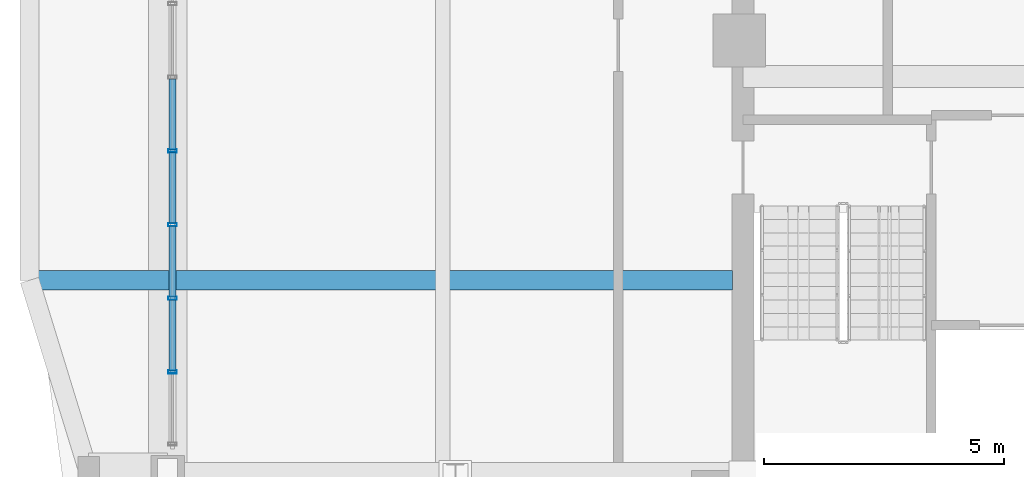
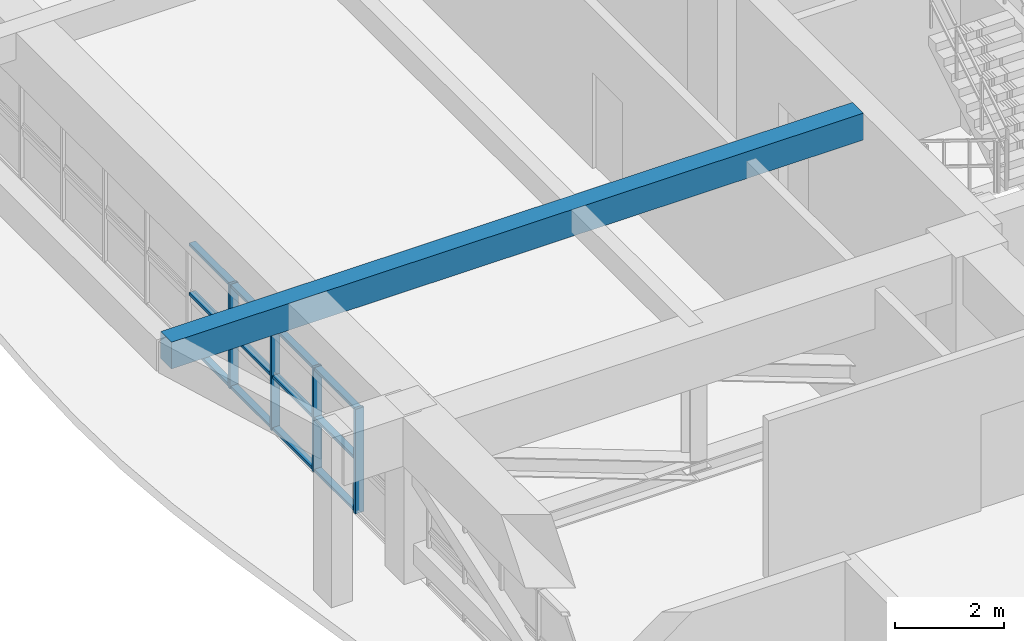
# One storey, part 4 of 25: 16 members, 1 beam, 1 element without a shape of its own.
"""IFC4 building model written with IfcOpenShell, lengths in metres."""

from ifc_helpers import new_model, si_unit, direction, frame, origin, origin_2d, place, context, subcontext, project, spatial, rectangle, hollow_rectangle, extrude, source, transform, mapped, material, layer, layer_set, material_profile, profile_set, type_object, element, aggregate, save


model = new_model("IFC4")

# Units and contexts
model_context = context("Model", 3, precision=1e-05, world=origin(), true_north=direction((0.0, 1.0)))
body_context = subcontext(model_context, "Body", "Model", "MODEL_VIEW")
ifc_project = project(units=[si_unit("LENGTHUNIT", "METRE"), si_unit("AREAUNIT", "SQUARE_METRE"), si_unit("VOLUMEUNIT", "CUBIC_METRE"), si_unit("PLANEANGLEUNIT", "RADIAN"), si_unit("MASSUNIT", "GRAM", prefix="KILO")], contexts=[model_context])

# Site, building, storey
site_placement = place(None, origin())
site = spatial("IfcSite", under=ifc_project, at=site_placement, CompositionType="ELEMENT")
building_placement = place(site_placement, origin())
building = spatial("IfcBuilding", under=site, at=building_placement, Name="Saelheon Loggia Tower", CompositionType="ELEMENT")
storey_placement = place(building_placement, frame((0.0, 0.0, 206.5)))
storey = spatial("IfcBuildingStorey", under=building, at=storey_placement, Name="L64", CompositionType="ELEMENT", Elevation=206.5)

# Beam
ifc_material_1 = material(Name="Precast Concrete C45/55", Category="concrete")
ifc_material_profile_1 = material_profile(ifc_material_1, rectangle(XDim=0.39990234375, YDim=0.60009765625, at=origin_2d()), Name="RC-400x600")
ifc_profile_set_1 = profile_set([ifc_material_profile_1], Name="Precast Concrete C45/55")
beam_type = type_object("IfcBeamType", Name="Beam_LoggiaTie_RC400x600", PredefinedType="BEAM", material=ifc_profile_set_1)
shared_shape_1 = source(origin(), body_context, "Body", "SweptSolid", [
    extrude(rectangle(XDim=0.39990234375, YDim=0.60009765625, at=origin_2d()), origin(), (0.0, 0.0, 1.0), 14.659912109375),
])
beam_placement = place(storey_placement, frame((31.280029296875, 22.0, 3.5), z_axis=(-1.0, 0.0, 0.0), x_axis=(0.0, -1.0, 0.0)))
element("IfcBeam", 1, at=beam_placement, inside=storey, type_object=beam_type, Name="L64 Curved Facade Outrigger Beam W 1", PredefinedType="BEAM", context=body_context, shape_type="MappedRepresentation", body=[
    mapped(shared_shape_1, transform((0.0, 0.0, 0.0), scale=1.0)),
])

# Curtain wall, members
ifc_material_2 = material(Name="Anodised Aluminium Acoustic Louvre Curtain Wall", Category="aluminium")
ifc_layer = layer(ifc_material_2, 0.179931640625)
ifc_layer_set = layer_set([ifc_layer], Name="Anodised Aluminium Acoustic Louvre Curtain Wall")
curtain_wall_type = type_object("IfcCurtainWallType", Name="CW_RefugeAcoustic", PredefinedType="NOTDEFINED", material=ifc_layer_set)
curtain_wall_placement = place(storey_placement, origin())
curtain_wall = element("IfcCurtainWall", 2, at=curtain_wall_placement, inside=storey, type_object=curtain_wall_type, Name="L64 W Refuge Acoustic Curtain Wall 2", PredefinedType="NOTDEFINED")
ifc_material_3 = material(Name="Anodised Aluminium 6063-T6", Category="aluminium")
ifc_material_profile_2 = material_profile(ifc_material_3, hollow_rectangle(XDim=0.06494140625, YDim=0.139892578125, WallThickness=0.00390625, at=origin_2d()), Name="RHS-140x65x4")
ifc_profile_set_2 = profile_set([ifc_material_profile_2], Name="Anodised Aluminium 6063-T6")
member_type_1 = type_object("IfcMemberType", Name="CW_RefugeAcoustic_Transom", PredefinedType="USERDEFINED", material=ifc_profile_set_2)
shared_shape_2 = source(origin(), body_context, "Body", "SweptSolid", [
    extrude(hollow_rectangle(XDim=0.06494140625, YDim=0.139892578125, WallThickness=0.00390625, at=origin_2d()), origin(), (0.0, 0.0, 1.0), 1.471435546875),
])
member_1_placement = place(storey_placement, frame((19.60009765625, 20.118896484375, 0.032470703125), z_axis=(0.0, 1.0, 0.0), x_axis=(0.0, 0.0, 1.0)))
member_1 = element("IfcMember", 3, at=member_1_placement, type_object=member_type_1, Name="CW5 transom 2.1", ObjectType="TRANSOM", PredefinedType="USERDEFINED", context=body_context, shape_type="MappedRepresentation", body=[
    mapped(shared_shape_2, transform((0.0, 0.0, 0.0), scale=1.0)),
])
member_2_placement = place(storey_placement, frame((19.60009765625, 20.118896484375, 1.199951171875), z_axis=(0.0, 1.0, 0.0), x_axis=(0.0, 0.0, 1.0)))
member_2 = element("IfcMember", 4, at=member_2_placement, type_object=member_type_1, Name="CW5 transom 2.2", ObjectType="TRANSOM", PredefinedType="USERDEFINED", context=body_context, shape_type="MappedRepresentation", body=[
    mapped(shared_shape_2, transform((0.0, 0.0, 0.0), scale=1.0)),
])
member_3_placement = place(storey_placement, frame((19.60009765625, 20.118896484375, 2.3076171875), z_axis=(0.0, 1.0, 0.0), x_axis=(0.0, 0.0, 1.0)))
member_3 = element("IfcMember", 5, at=member_3_placement, type_object=member_type_1, Name="CW5 transom 2.3", ObjectType="TRANSOM", PredefinedType="USERDEFINED", context=body_context, shape_type="MappedRepresentation", body=[
    mapped(shared_shape_2, transform((0.0, 0.0, 0.0), scale=1.0)),
])
member_4_placement = place(storey_placement, frame((19.60009765625, 21.6552734375, 0.032470703125), z_axis=(0.0, 1.0, 0.0), x_axis=(0.0, 0.0, 1.0)))
member_4 = element("IfcMember", 6, at=member_4_placement, type_object=member_type_1, Name="CW5 transom 3.1", ObjectType="TRANSOM", PredefinedType="USERDEFINED", context=body_context, shape_type="MappedRepresentation", body=[
    mapped(shared_shape_2, transform((0.0, 0.0, 0.0), scale=1.0)),
])
member_5_placement = place(storey_placement, frame((19.60009765625, 21.6552734375, 1.199951171875), z_axis=(0.0, 1.0, 0.0), x_axis=(0.0, 0.0, 1.0)))
member_5 = element("IfcMember", 7, at=member_5_placement, type_object=member_type_1, Name="CW5 transom 3.2", ObjectType="TRANSOM", PredefinedType="USERDEFINED", context=body_context, shape_type="MappedRepresentation", body=[
    mapped(shared_shape_2, transform((0.0, 0.0, 0.0), scale=1.0)),
])
member_6_placement = place(storey_placement, frame((19.60009765625, 21.6552734375, 2.3076171875), z_axis=(0.0, 1.0, 0.0), x_axis=(0.0, 0.0, 1.0)))
member_6 = element("IfcMember", 8, at=member_6_placement, type_object=member_type_1, Name="CW5 transom 3.3", ObjectType="TRANSOM", PredefinedType="USERDEFINED", context=body_context, shape_type="MappedRepresentation", body=[
    mapped(shared_shape_2, transform((0.0, 0.0, 0.0), scale=1.0)),
])
shared_shape_3 = source(origin(), body_context, "Body", "SweptSolid", [
    extrude(hollow_rectangle(XDim=0.06494140625, YDim=0.139892578125, WallThickness=0.00390625, at=origin_2d()), origin(), (0.0, 0.0, 1.0), 1.47119140625),
])
member_7_placement = place(storey_placement, frame((19.60009765625, 23.191650390625, 0.032470703125), z_axis=(0.0, 1.0, 0.0), x_axis=(0.0, 0.0, 1.0)))
member_7 = element("IfcMember", 9, at=member_7_placement, type_object=member_type_1, Name="CW5 transom 4.1", ObjectType="TRANSOM", PredefinedType="USERDEFINED", context=body_context, shape_type="MappedRepresentation", body=[
    mapped(shared_shape_3, transform((0.0, 0.0, 0.0), scale=1.0)),
])
member_8_placement = place(storey_placement, frame((19.60009765625, 23.191650390625, 1.199951171875), z_axis=(0.0, 1.0, 0.0), x_axis=(0.0, 0.0, 1.0)))
member_8 = element("IfcMember", 10, at=member_8_placement, type_object=member_type_1, Name="CW5 transom 4.2", ObjectType="TRANSOM", PredefinedType="USERDEFINED", context=body_context, shape_type="MappedRepresentation", body=[
    mapped(shared_shape_3, transform((0.0, 0.0, 0.0), scale=1.0)),
])
member_9_placement = place(storey_placement, frame((19.60009765625, 23.191650390625, 2.3076171875), z_axis=(0.0, 1.0, 0.0), x_axis=(0.0, 0.0, 1.0)))
member_9 = element("IfcMember", 11, at=member_9_placement, type_object=member_type_1, Name="CW5 transom 4.3", ObjectType="TRANSOM", PredefinedType="USERDEFINED", context=body_context, shape_type="MappedRepresentation", body=[
    mapped(shared_shape_3, transform((0.0, 0.0, 0.0), scale=1.0)),
])
member_10_placement = place(storey_placement, frame((19.60009765625, 24.72802734375, 0.032470703125), z_axis=(0.0, 1.0, 0.0), x_axis=(0.0, 0.0, 1.0)))
member_10 = element("IfcMember", 12, at=member_10_placement, type_object=member_type_1, Name="CW5 transom 5.1", ObjectType="TRANSOM", PredefinedType="USERDEFINED", context=body_context, shape_type="MappedRepresentation", body=[
    mapped(shared_shape_3, transform((0.0, 0.0, 0.0), scale=1.0)),
])
member_11_placement = place(storey_placement, frame((19.60009765625, 24.72802734375, 1.199951171875), z_axis=(0.0, 1.0, 0.0), x_axis=(0.0, 0.0, 1.0)))
member_11 = element("IfcMember", 13, at=member_11_placement, type_object=member_type_1, Name="CW5 transom 5.2", ObjectType="TRANSOM", PredefinedType="USERDEFINED", context=body_context, shape_type="MappedRepresentation", body=[
    mapped(shared_shape_3, transform((0.0, 0.0, 0.0), scale=1.0)),
])
member_12_placement = place(storey_placement, frame((19.60009765625, 24.72802734375, 2.3076171875), z_axis=(0.0, 1.0, 0.0), x_axis=(0.0, 0.0, 1.0)))
member_12 = element("IfcMember", 14, at=member_12_placement, type_object=member_type_1, Name="CW5 transom 5.3", ObjectType="TRANSOM", PredefinedType="USERDEFINED", context=body_context, shape_type="MappedRepresentation", body=[
    mapped(shared_shape_3, transform((0.0, 0.0, 0.0), scale=1.0)),
])
ifc_material_profile_3 = material_profile(ifc_material_3, hollow_rectangle(XDim=0.06494140625, YDim=0.179931640625, WallThickness=0.00390625, at=origin_2d()), Name="RHS-180x65x4")
ifc_profile_set_3 = profile_set([ifc_material_profile_3], Name="Anodised Aluminium 6063-T6")
member_type_2 = type_object("IfcMemberType", Name="CW_RefugeAcoustic_Mullion", PredefinedType="MULLION", material=ifc_profile_set_3)
shared_shape_4 = source(origin(), body_context, "Body", "SweptSolid", [
    extrude(hollow_rectangle(XDim=0.06494140625, YDim=0.179931640625, WallThickness=0.00390625, at=origin_2d()), origin(), (0.0, 0.0, 1.0), 2.340087890625),
])
member_13_placement = place(storey_placement, frame((19.60009765625, 20.08642578125, 0.0), z_axis=(0.0, 0.0, 1.0), x_axis=(0.0, 1.0, 0.0)))
member_13 = element("IfcMember", 15, at=member_13_placement, type_object=member_type_2, Name="CW5 mullion 2", PredefinedType="MULLION", context=body_context, shape_type="MappedRepresentation", body=[
    mapped(shared_shape_4, transform((0.0, 0.0, 0.0), scale=1.0)),
])
member_14_placement = place(storey_placement, frame((19.60009765625, 21.622802734375, 0.0), z_axis=(0.0, 0.0, 1.0), x_axis=(0.0, 1.0, 0.0)))
member_14 = element("IfcMember", 16, at=member_14_placement, type_object=member_type_2, Name="CW5 mullion 3", PredefinedType="MULLION", context=body_context, shape_type="MappedRepresentation", body=[
    mapped(shared_shape_4, transform((0.0, 0.0, 0.0), scale=1.0)),
])
member_15_placement = place(storey_placement, frame((19.60009765625, 23.1591796875, 0.0), z_axis=(0.0, 0.0, 1.0), x_axis=(0.0, 1.0, 0.0)))
member_15 = element("IfcMember", 17, at=member_15_placement, type_object=member_type_2, Name="CW5 mullion 4", PredefinedType="MULLION", context=body_context, shape_type="MappedRepresentation", body=[
    mapped(shared_shape_4, transform((0.0, 0.0, 0.0), scale=1.0)),
])
member_16_placement = place(storey_placement, frame((19.60009765625, 24.695556640625, 0.0), z_axis=(0.0, 0.0, 1.0), x_axis=(0.0, 1.0, 0.0)))
member_16 = element("IfcMember", 18, at=member_16_placement, type_object=member_type_2, Name="CW5 mullion 5", PredefinedType="MULLION", context=body_context, shape_type="MappedRepresentation", body=[
    mapped(shared_shape_4, transform((0.0, 0.0, 0.0), scale=1.0)),
])
aggregate(curtain_wall, [member_13, member_14, member_15, member_16, member_1, member_2, member_3, member_4, member_5, member_6, member_7, member_8, member_9, member_10, member_11, member_12])

save(model, "model.ifc")
